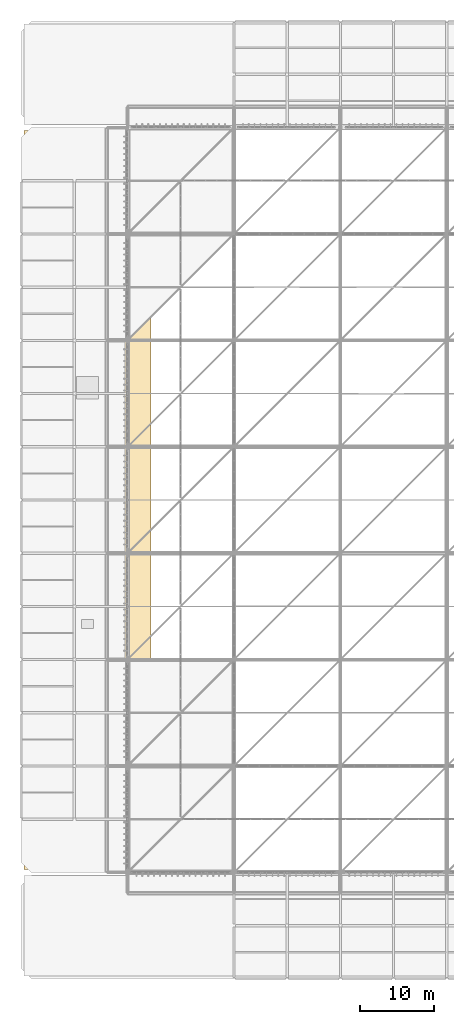
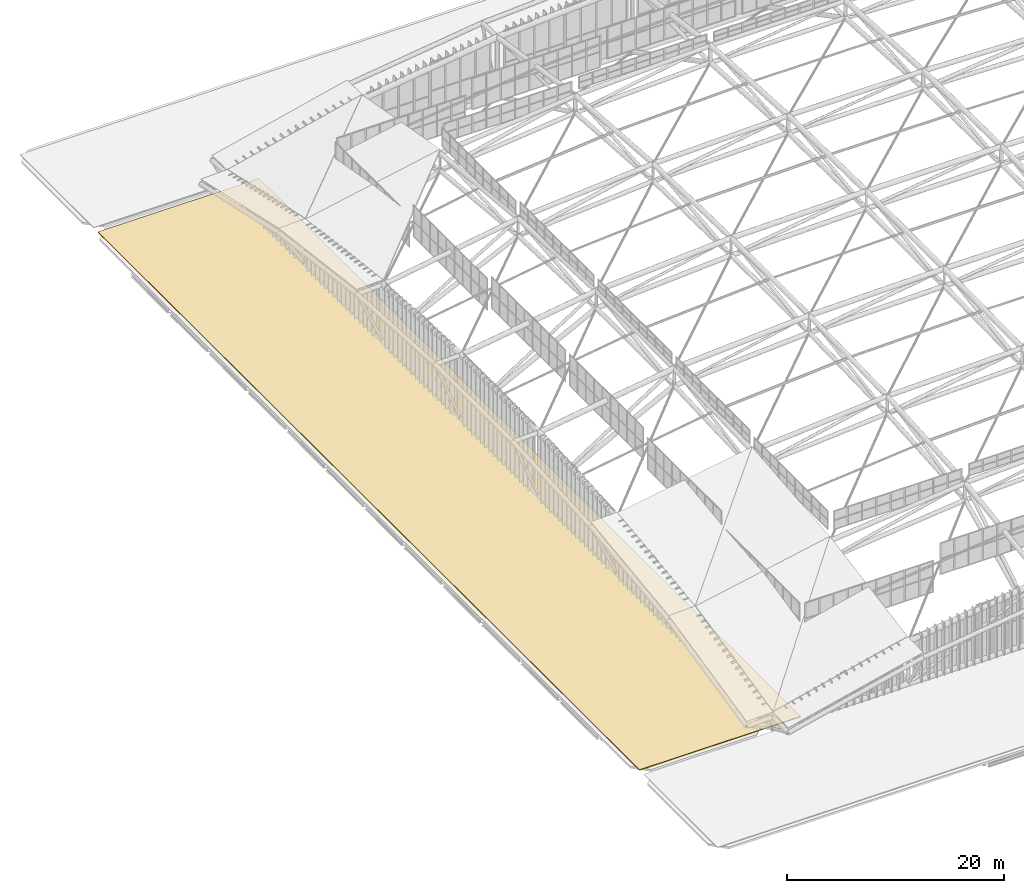
# One storey, part 391 of 397: 1 covering.
"""IFC4 building model written with IfcOpenShell, lengths in metres."""

from ifc_helpers import new_model, si_unit, direction, frame, origin, place, context, subcontext, project, spatial, polyline, outline, extrude, material, layer, layer_set, type_object, element, save


model = new_model("IFC4")

# Units and contexts
model_context = context("Model", 3, precision=1e-05, world=origin(), true_north=direction((0.0, 1.0)))
body_context = subcontext(model_context, "Body", "Model", "MODEL_VIEW")
ifc_project = project(units=[si_unit("LENGTHUNIT", "METRE"), si_unit("AREAUNIT", "SQUARE_METRE"), si_unit("VOLUMEUNIT", "CUBIC_METRE"), si_unit("PLANEANGLEUNIT", "RADIAN"), si_unit("MASSUNIT", "GRAM", prefix="KILO")], contexts=[model_context])

# Site, building, storey
site_placement = place(None, origin())
site = spatial("IfcSite", under=ifc_project, at=site_placement, CompositionType="ELEMENT")
building_placement = place(site_placement, origin())
building = spatial("IfcBuilding", under=site, at=building_placement, Name="Qandorah Velis Arena", CompositionType="ELEMENT")
storey_placement = place(building_placement, frame((0.0, 0.0, 27.5)))
storey = spatial("IfcBuildingStorey", under=building, at=storey_placement, Name="RF", CompositionType="ELEMENT", Elevation=27.5)

# Covering
ifc_material = material(Name="Insulated high-albedo standing-seam aluminium roofing", Category="aluminium")
ifc_layer = layer(ifc_material, 0.080078125)
ifc_layer_set = layer_set([ifc_layer], Name="Insulated high-albedo standing-seam aluminium roofing")
covering_type = type_object("IfcCoveringType", Name="ARC-COV-ROOF", PredefinedType="ROOFING", material=ifc_layer_set)
covering_placement = place(storey_placement, origin())
element("IfcCovering", 1, at=covering_placement, inside=storey, type_object=covering_type, Name="Standing-seam insulated roof covering COV-RF-SKY-W", PredefinedType="ROOFING", context=body_context, shape_type="SweptSolid", body=[
    extrude(outline(polyline([(0.39990234375, 14.800048828125), (17.60009765625, 14.800048828125), (17.60009765625, 114.800048828125), (0.39990234375, 114.800048828125), (0.39990234375, 14.800048828125)])), origin(), (0.0, 0.0, 1.0), 0.080078125),
])

save(model, "model.ifc")
